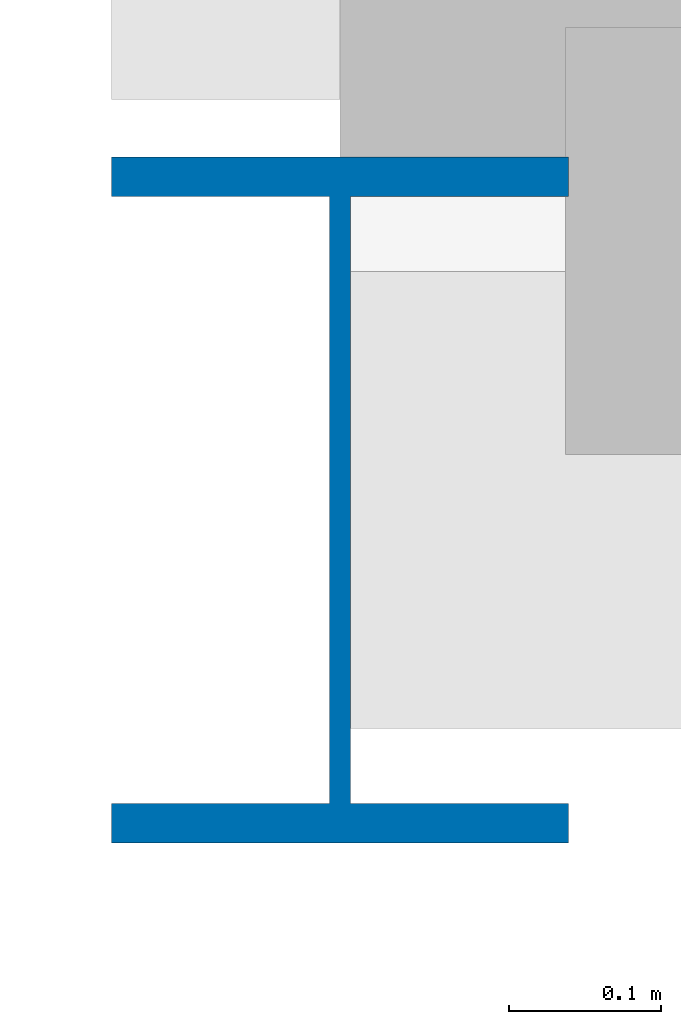
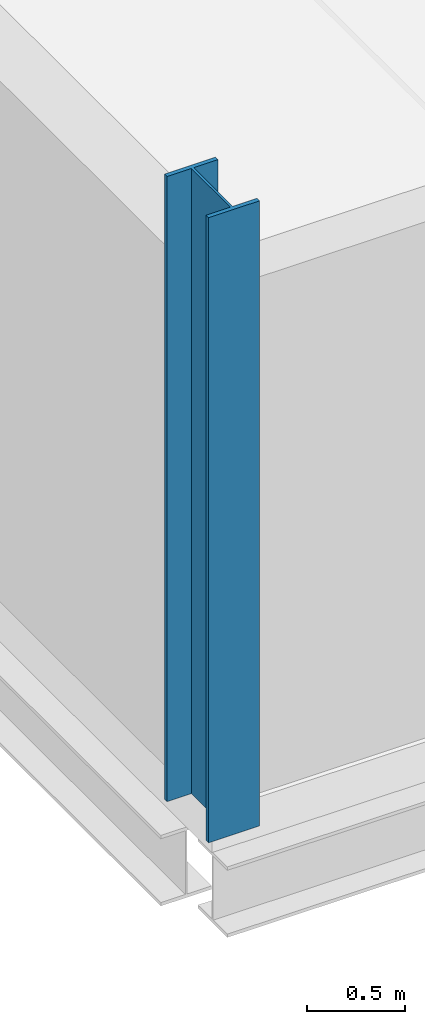
# One storey, part 3 of 110: 1 column.
"""IFC4 building model written with IfcOpenShell, lengths in metres."""

from ifc_helpers import new_model, si_unit, direction, frame, origin, origin_2d, place, context, subcontext, project, spatial, i_section, extrude, material, material_profile, profile_set, type_object, element, save


model = new_model("IFC4")

# Units and contexts
model_context = context("Model", 3, precision=1e-05, world=origin(), true_north=direction((0.0, 1.0)))
body_context = subcontext(model_context, "Body", "Model", "MODEL_VIEW")
ifc_project = project(units=[si_unit("LENGTHUNIT", "METRE"), si_unit("AREAUNIT", "SQUARE_METRE"), si_unit("VOLUMEUNIT", "CUBIC_METRE"), si_unit("PLANEANGLEUNIT", "RADIAN"), si_unit("MASSUNIT", "GRAM", prefix="KILO")], contexts=[model_context])

# Site, building, storey
site_placement = place(None, origin())
site = spatial("IfcSite", under=ifc_project, at=site_placement, CompositionType="ELEMENT")
building_placement = place(site_placement, origin())
building = spatial("IfcBuilding", under=site, at=building_placement, Name="Tamarisk Ironworks Central Station", CompositionType="ELEMENT")
storey_placement = place(building_placement, frame((0.0, 0.0, 17.39990234375)))
storey = spatial("IfcBuildingStorey", under=building, at=storey_placement, Name="L03", CompositionType="ELEMENT", Elevation=17.39990234375)

# Column
ifc_material = material(Name="Structural steel S355J2", Category="steel")
ifc_material_profile = material_profile(ifc_material, i_section(OverallWidth=0.300048828125, OverallDepth=0.449951171875, WebThickness=0.013916015625, FlangeThickness=0.02587890625, at=origin_2d()), Name="HEB 450")
ifc_profile_set = profile_set([ifc_material_profile], Name="Structural steel S355J2")
column_type = type_object("IfcColumnType", Name="COL-S08", PredefinedType="COLUMN", material=ifc_profile_set)
column_placement = place(storey_placement, frame((118.0, 90.0, 0.0), z_axis=(0.0, 0.0, 1.0), x_axis=(1.0, 0.0, 0.0)))
element("IfcColumn", 1, at=column_placement, inside=storey, type_object=column_type, Name="L03 column V5-15H", PredefinedType="COLUMN", context=body_context, shape_type="SweptSolid", body=[
    extrude(i_section(OverallWidth=0.300048828125, OverallDepth=0.449951171875, WebThickness=0.013916015625, FlangeThickness=0.02587890625, at=origin_2d()), origin(), (0.0, 0.0, 1.0), 3.900146484375),
])

save(model, "model.ifc")
